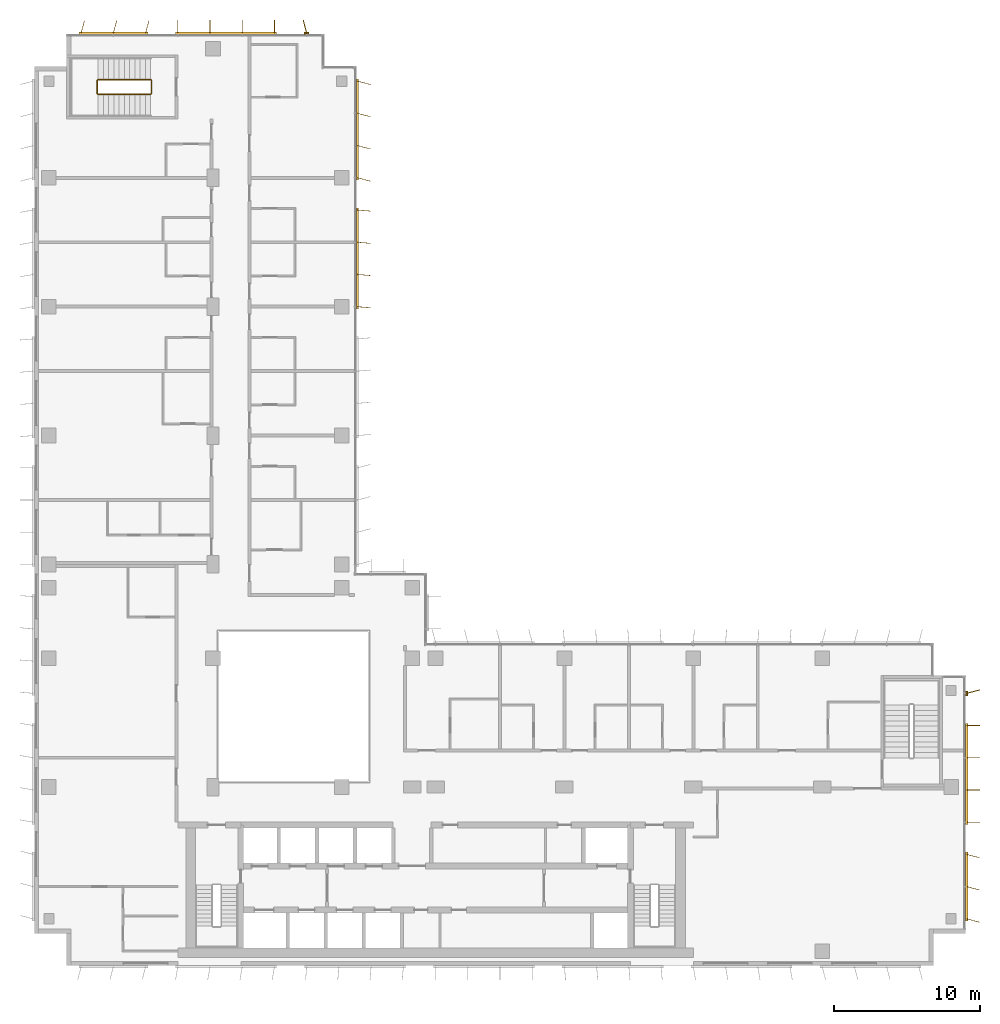
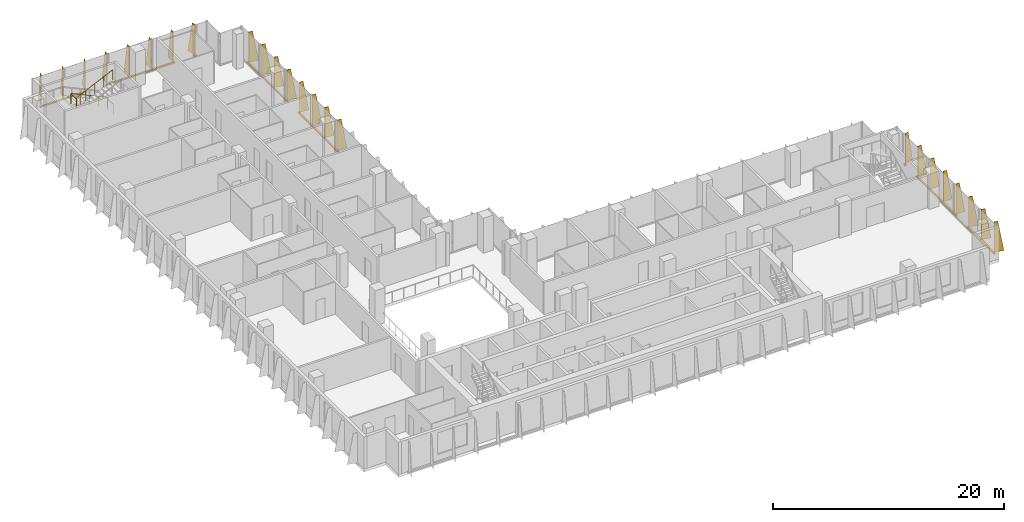
# One storey, part 21 of 21: 8 shading devices, 1 railing.
"""IFC4 building model written with IfcOpenShell, lengths in metres."""

from ifc_helpers import new_model, si_unit, direction, frame, origin, origin_2d, place, context, subcontext, project, spatial, polyline, rectangle, circle, outline, extrude, source, transform, mapped, material, layer, layer_set, type_object, element, save


model = new_model("IFC4")

# Units and contexts
model_context = context("Model", 3, precision=1e-05, world=origin(), true_north=direction((0.0, 1.0)))
body_context = subcontext(model_context, "Body", "Model", "MODEL_VIEW")
ifc_project = project(units=[si_unit("LENGTHUNIT", "METRE"), si_unit("AREAUNIT", "SQUARE_METRE"), si_unit("VOLUMEUNIT", "CUBIC_METRE"), si_unit("PLANEANGLEUNIT", "RADIAN"), si_unit("MASSUNIT", "GRAM", prefix="KILO")], contexts=[model_context])

# Site, building, storey
site_placement = place(None, origin())
site = spatial("IfcSite", under=ifc_project, at=site_placement, CompositionType="ELEMENT")
building_placement = place(site_placement, origin())
building = spatial("IfcBuilding", under=site, at=building_placement, Name="Kemantara Hotel Tower", CompositionType="ELEMENT")
storey_placement = place(building_placement, frame((0.0, 0.0, 182.699951171875)))
storey = spatial("IfcBuildingStorey", under=building, at=storey_placement, Name="L45", CompositionType="ELEMENT", Elevation=182.699951171875)

# Railing
ifc_material_1 = material(Name="Stainless steel balustrade", Category="steel")
railing_type = type_object("IfcRailingType", Name="Stair guard 1100 mm", PredefinedType="GUARDRAIL", material=ifc_material_1)
railing_placement = place(storey_placement, frame((7.949951171875, 59.5, 3.699951171875)))
element("IfcRailing", 1, at=railing_placement, inside=storey, type_object=railing_type, Name="L45 ST4 stair guard 1", PredefinedType="GUARDRAIL", context=body_context, shape_type="SweptSolid", body=[
    extrude(circle(Radius=0.02392578125, at=origin_2d()), frame((0.0, 0.0, 1.076171875), z_axis=(-0.906018243939, 0.0, -0.423238634402), x_axis=(0.0, -1.0, 0.0)), (0.0, 0.0, 1.0), 3.973388671875),
    extrude(circle(Radius=0.02392578125, at=origin_2d()), frame((-3.599853515625, 0.0, -0.60546875), z_axis=(-0.274243871929, 0.274243871929, -0.92172696468), x_axis=(-0.707106781187, -0.707106781187, 0.0)), (0.0, 0.0, 1.0), 0.1826171875),
    extrude(circle(Radius=0.02392578125, at=origin_2d()), frame((-3.64990234375, 0.050048828125, -0.77392578125), z_axis=(0.0, 1.0, 0.0), x_axis=(-1.0, 0.0, 0.0)), (0.0, 0.0, 1.0), 0.89990234375),
    extrude(circle(Radius=0.02392578125, at=origin_2d()), frame((-3.64990234375, 0.949951171875, -0.77392578125), z_axis=(0.707106781187, 0.707106781187, 0.0), x_axis=(-0.707106781187, 0.707106781187, 0.0)), (0.0, 0.0, 1.0), 0.07080078125),
    extrude(circle(Radius=0.02392578125, at=origin_2d()), frame((-3.599853515625, 1.0, -0.77392578125), z_axis=(0.905994681025, 0.0, -0.423289071386), x_axis=(0.0, 1.0, 0.0)), (0.0, 0.0, 1.0), 3.973388671875),
    extrude(circle(Radius=0.02392578125, at=origin_2d()), frame((0.0, 1.0, -2.45556640625), z_axis=(0.274243871929, -0.274243871929, -0.92172696468), x_axis=(0.707106781187, 0.707106781187, 0.0)), (0.0, 0.0, 1.0), 0.1826171875),
    extrude(circle(Radius=0.02392578125, at=origin_2d()), frame((0.050048828125, 0.949951171875, -2.6240234375), z_axis=(0.0, -1.0, 0.0), x_axis=(1.0, 0.0, 0.0)), (0.0, 0.0, 1.0), 0.89990234375),
    extrude(circle(Radius=0.02099609375, at=origin_2d()), origin(), (0.0, 0.0, 1.0), 1.052001953125),
    extrude(circle(Radius=0.02099609375, at=origin_2d()), frame((-0.89990234375, 0.0, -0.42041015625)), (0.0, 0.0, 1.0), 1.052001953125),
    extrude(circle(Radius=0.02099609375, at=origin_2d()), frame((-1.7998046875, 0.0, -0.8408203125)), (0.0, 0.0, 1.0), 1.052001953125),
    extrude(circle(Radius=0.02099609375, at=origin_2d()), frame((-2.699951171875, 0.0, -1.26123046875)), (0.0, 0.0, 1.0), 1.052001953125),
    extrude(circle(Radius=0.02099609375, at=origin_2d()), frame((-3.599853515625, 0.0, -1.681640625)), (0.0, 0.0, 1.0), 1.052001953125),
    extrude(circle(Radius=0.02099609375, at=origin_2d()), frame((-3.64990234375, 0.050048828125, -1.849853515625)), (0.0, 0.0, 1.0), 1.052001953125),
    extrude(circle(Radius=0.02099609375, at=origin_2d()), frame((-3.64990234375, 0.949951171875, -1.849853515625)), (0.0, 0.0, 1.0), 1.052001953125),
    extrude(circle(Radius=0.02099609375, at=origin_2d()), frame((-3.599853515625, 1.0, -1.849853515625)), (0.0, 0.0, 1.0), 1.052001953125),
    extrude(circle(Radius=0.02099609375, at=origin_2d()), frame((-2.699951171875, 1.0, -2.270263671875)), (0.0, 0.0, 1.0), 1.052001953125),
    extrude(circle(Radius=0.02099609375, at=origin_2d()), frame((-1.7998046875, 1.0, -2.69091796875)), (0.0, 0.0, 1.0), 1.052001953125),
    extrude(circle(Radius=0.02099609375, at=origin_2d()), frame((-0.89990234375, 1.0, -3.111328125)), (0.0, 0.0, 1.0), 1.052001953125),
    extrude(circle(Radius=0.02099609375, at=origin_2d()), frame((0.0, 1.0, -3.53173828125)), (0.0, 0.0, 1.0), 1.052001953125),
    extrude(circle(Radius=0.02099609375, at=origin_2d()), frame((0.050048828125, 0.949951171875, -3.699951171875)), (0.0, 0.0, 1.0), 1.052001953125),
    extrude(circle(Radius=0.02099609375, at=origin_2d()), frame((0.050048828125, 0.050048828125, -3.699951171875)), (0.0, 0.0, 1.0), 1.052001953125),
])

# Shading devices
ifc_material_2 = material(Name="Perforated aluminium plate 4 mm bronze anodised", Category="aluminium")
ifc_layer_1 = layer(ifc_material_2, 0.0400390625)
ifc_layer_set_1 = layer_set([ifc_layer_1], Name="Perforated aluminium plate 4 mm bronze anodised")
shading_device_type_1 = type_object("IfcShadingDeviceType", Name="SCREEN FIN CASSETTE, 3 BLADES AT -15.0 DEG, 3200 HIGH", PredefinedType="USERDEFINED", material=ifc_layer_set_1)
shared_shape_1 = source(origin(), body_context, "Body", "SweptSolid", [
    extrude(rectangle(XDim=4.699951171875, YDim=0.14990234375, at=origin_2d()), frame((2.199951171875, -0.074951171875, -0.14990234375), z_axis=(0.0, 0.0, 1.0), x_axis=(1.0, 0.0, 0.0)), (0.0, 0.0, 1.0), 0.14990234375),
    extrude(outline(polyline([(0.0, 0.0), (0.89990234375, 0.0), (0.35009765625, 3.199951171875), (0.0, 3.199951171875), (0.0, 0.0)])), frame((0.019287109375, -0.080078125, 0.0), z_axis=(-0.966437683387, 0.256901156343, 0.0), x_axis=(-0.256901156343, -0.966437683387, 0.0)), (0.0, 0.0, 1.0), 0.039794921875),
    extrude(outline(polyline([(0.0, 0.0), (0.89990234375, 0.0), (0.35009765625, 3.199951171875), (0.0, 3.199951171875), (0.0, 0.0)])), frame((2.21923828125, -0.080078125, 0.0), z_axis=(-0.966437683387, 0.256901156343, 0.0), x_axis=(-0.256901156343, -0.966437683387, 0.0)), (0.0, 0.0, 1.0), 0.039794921875),
    extrude(outline(polyline([(0.0, 0.0), (0.89990234375, 0.0), (0.35009765625, 3.199951171875), (0.0, 3.199951171875), (0.0, 0.0)])), frame((4.41943359375, -0.080078125, 0.0), z_axis=(-0.966837822169, 0.255391122837, 0.0), x_axis=(-0.255391122837, -0.966837822169, 0.0)), (0.0, 0.0, 1.0), 0.0400390625),
])
for number, where, z_axis, x_axis, name in (
    (2, (7.60009765625, 63.60009765625, 0.10009765625), (0.0, 0.0, 1.0), (-1.0, 0.0, 0.0), "SCREEN FIN CASSETTE L45 T3-R02-3"),
    (3, (63.60009765625, 3.199951171875, 0.10009765625), (0.0, 0.0, 1.0), (0.0, 1.0, 0.0), "SCREEN FIN CASSETTE L45 T3-R11-1"),
):
    element("IfcShadingDevice", number, at=place(storey_placement, frame(where, z_axis=z_axis, x_axis=x_axis)), inside=storey, type_object=shading_device_type_1, Name=name, ObjectType="SCREEN FIN", PredefinedType="USERDEFINED", context=body_context, shape_type="MappedRepresentation", body=[
        mapped(shared_shape_1, transform((0.0, 0.0, 0.0))),
    ])
ifc_layer_2 = layer(ifc_material_2, 0.0400390625)
ifc_layer_set_2 = layer_set([ifc_layer_2], Name="Perforated aluminium plate 4 mm bronze anodised")
shading_device_type_2 = type_object("IfcShadingDeviceType", Name="SCREEN FIN CASSETTE, 4 BLADES AT -5.0 DEG, 3200 HIGH", PredefinedType="USERDEFINED", material=ifc_layer_set_2)
shared_shape_2 = source(origin(), body_context, "Body", "SweptSolid", [
    extrude(rectangle(XDim=6.89990234375, YDim=0.14990234375, at=origin_2d()), frame((3.300048828125, -0.074951171875, -0.14990234375), z_axis=(0.0, 0.0, 1.0), x_axis=(1.0, 0.0, 0.0)), (0.0, 0.0, 1.0), 0.14990234375),
    extrude(outline(polyline([(0.0, 0.0), (0.89990234375, 0.0), (0.35009765625, 3.199951171875), (0.0, 3.199951171875), (0.0, 0.0)])), frame((0.02001953125, -0.07666015625, 0.0), z_axis=(-0.996376129781, 0.085056498884, 0.0), x_axis=(-0.085056498884, -0.996376129781, 0.0)), (0.0, 0.0, 1.0), 0.040283203125),
    extrude(outline(polyline([(0.0, 0.0), (0.89990234375, 0.0), (0.35009765625, 3.199951171875), (0.0, 3.199951171875), (0.0, 0.0)])), frame((2.219970703125, -0.07666015625, 0.0), z_axis=(-0.996331773833, 0.085574508182, 0.0), x_axis=(-0.085574508182, -0.996331773833, 0.0)), (0.0, 0.0, 1.0), 0.0400390625),
    extrude(outline(polyline([(0.0, 0.0), (0.89990234375, 0.0), (0.35009765625, 3.199951171875), (0.0, 3.199951171875), (0.0, 0.0)])), frame((4.419921875, -0.07666015625, 0.0), z_axis=(-0.996331773833, 0.085574508182, 0.0), x_axis=(-0.085574508182, -0.996331773833, 0.0)), (0.0, 0.0, 1.0), 0.0400390625),
    extrude(outline(polyline([(0.0, 0.0), (0.89990234375, 0.0), (0.35009765625, 3.199951171875), (0.0, 3.199951171875), (0.0, 0.0)])), frame((6.619873046875, -0.07666015625, 0.0), z_axis=(-0.996331773833, 0.085574508182, 0.0), x_axis=(-0.085574508182, -0.996331773833, 0.0)), (0.0, 0.0, 1.0), 0.0400390625),
])
shading_device_1_placement = place(storey_placement, frame((22.0, 45.0, 0.10009765625), z_axis=(0.0, 0.0, 1.0), x_axis=(0.0, 1.0, 0.0)))
element("IfcShadingDevice", 4, at=shading_device_1_placement, inside=storey, type_object=shading_device_type_2, Name="SCREEN FIN CASSETTE L45 T3-R17-3", ObjectType="SCREEN FIN", PredefinedType="USERDEFINED", context=body_context, shape_type="MappedRepresentation", body=[
    mapped(shared_shape_2, transform((0.0, 0.0, 0.0))),
])
ifc_layer_3 = layer(ifc_material_2, 0.0400390625)
ifc_layer_set_3 = layer_set([ifc_layer_3], Name="Perforated aluminium plate 4 mm bronze anodised")
shading_device_type_3 = type_object("IfcShadingDeviceType", Name="SCREEN FIN CASSETTE, 4 BLADES AT +0.0 DEG, 3200 HIGH", PredefinedType="USERDEFINED", material=ifc_layer_set_3)
shared_shape_3 = source(origin(), body_context, "Body", "SweptSolid", [
    extrude(rectangle(XDim=6.89990234375, YDim=0.14990234375, at=origin_2d()), frame((3.300048828125, -0.074951171875, -0.14990234375), z_axis=(0.0, 0.0, 1.0), x_axis=(1.0, 0.0, 0.0)), (0.0, 0.0, 1.0), 0.14990234375),
    extrude(outline(polyline([(0.0, 0.0), (0.89990234375, 0.0), (0.35009765625, 3.199951171875), (0.0, 3.199951171875), (0.0, 0.0)])), frame((0.02001953125, -0.074951171875, 0.0), z_axis=(-1.0, 0.0, 0.0), x_axis=(0.0, -1.0, 0.0)), (0.0, 0.0, 1.0), 0.0400390625),
    extrude(outline(polyline([(0.0, 0.0), (0.89990234375, 0.0), (0.35009765625, 3.199951171875), (0.0, 3.199951171875), (0.0, 0.0)])), frame((2.219970703125, -0.074951171875, 0.0), z_axis=(-1.0, 0.0, 0.0), x_axis=(0.0, -1.0, 0.0)), (0.0, 0.0, 1.0), 0.0400390625),
    extrude(outline(polyline([(0.0, 0.0), (0.89990234375, 0.0), (0.35009765625, 3.199951171875), (0.0, 3.199951171875), (0.0, 0.0)])), frame((4.419921875, -0.074951171875, 0.0), z_axis=(-1.0, 0.0, 0.0), x_axis=(0.0, -1.0, 0.0)), (0.0, 0.0, 1.0), 0.0400390625),
    extrude(outline(polyline([(0.0, 0.0), (0.89990234375, 0.0), (0.35009765625, 3.199951171875), (0.0, 3.199951171875), (0.0, 0.0)])), frame((6.6201171875, -0.074951171875, 0.0), z_axis=(-1.0, 0.0, 0.0), x_axis=(0.0, -1.0, 0.0)), (0.0, 0.0, 1.0), 0.0400390625),
])
for number, where, z_axis, x_axis, name in (
    (5, (16.39990234375, 63.60009765625, 0.10009765625), (0.0, 0.0, 1.0), (-1.0, 0.0, 0.0), "SCREEN FIN CASSETTE L45 T3-R02-2"),
    (6, (63.60009765625, 9.800048828125, 0.10009765625), (0.0, 0.0, 1.0), (0.0, 1.0, 0.0), "SCREEN FIN CASSETTE L45 T3-R11-2"),
):
    element("IfcShadingDevice", number, at=place(storey_placement, frame(where, z_axis=z_axis, x_axis=x_axis)), inside=storey, type_object=shading_device_type_3, Name=name, ObjectType="SCREEN FIN", PredefinedType="USERDEFINED", context=body_context, shape_type="MappedRepresentation", body=[
        mapped(shared_shape_3, transform((0.0, 0.0, 0.0))),
    ])
ifc_layer_4 = layer(ifc_material_2, 0.0400390625)
ifc_layer_set_4 = layer_set([ifc_layer_4], Name="Perforated aluminium plate 4 mm bronze anodised")
shading_device_type_4 = type_object("IfcShadingDeviceType", Name="SCREEN FIN CASSETTE, 4 BLADES AT -15.0 DEG, 3200 HIGH", PredefinedType="USERDEFINED", material=ifc_layer_set_4)
shared_shape_4 = source(origin(), body_context, "Body", "SweptSolid", [
    extrude(rectangle(XDim=6.89990234375, YDim=0.14990234375, at=origin_2d()), frame((3.300048828125, -0.074951171875, -0.14990234375), z_axis=(0.0, 0.0, 1.0), x_axis=(1.0, 0.0, 0.0)), (0.0, 0.0, 1.0), 0.14990234375),
    extrude(outline(polyline([(0.0, 0.0), (0.89990234375, 0.0), (0.35009765625, 3.199951171875), (0.0, 3.199951171875), (0.0, 0.0)])), frame((0.019287109375, -0.080078125, 0.0), z_axis=(-0.966437683387, 0.256901156343, 0.0), x_axis=(-0.256901156343, -0.966437683387, 0.0)), (0.0, 0.0, 1.0), 0.039794921875),
    extrude(outline(polyline([(0.0, 0.0), (0.89990234375, 0.0), (0.35009765625, 3.199951171875), (0.0, 3.199951171875), (0.0, 0.0)])), frame((2.21923828125, -0.080078125, 0.0), z_axis=(-0.966437683387, 0.256901156343, 0.0), x_axis=(-0.256901156343, -0.966437683387, 0.0)), (0.0, 0.0, 1.0), 0.039794921875),
    extrude(outline(polyline([(0.0, 0.0), (0.89990234375, 0.0), (0.35009765625, 3.199951171875), (0.0, 3.199951171875), (0.0, 0.0)])), frame((4.41943359375, -0.080078125, 0.0), z_axis=(-0.966837822169, 0.255391122837, 0.0), x_axis=(-0.255391122837, -0.966837822169, 0.0)), (0.0, 0.0, 1.0), 0.0400390625),
    extrude(outline(polyline([(0.0, 0.0), (0.89990234375, 0.0), (0.35009765625, 3.199951171875), (0.0, 3.199951171875), (0.0, 0.0)])), frame((6.619384765625, -0.080078125, 0.0), z_axis=(-0.966837822169, 0.255391122837, 0.0), x_axis=(-0.255391122837, -0.966837822169, 0.0)), (0.0, 0.0, 1.0), 0.0400390625),
])
shading_device_2_placement = place(storey_placement, frame((22.0, 53.800048828125, 0.10009765625), z_axis=(0.0, 0.0, 1.0), x_axis=(0.0, 1.0, 0.0)))
element("IfcShadingDevice", 7, at=shading_device_2_placement, inside=storey, type_object=shading_device_type_4, Name="SCREEN FIN CASSETTE L45 T3-R17-4", ObjectType="SCREEN FIN", PredefinedType="USERDEFINED", context=body_context, shape_type="MappedRepresentation", body=[
    mapped(shared_shape_4, transform((0.0, 0.0, 0.0))),
])
ifc_layer_5 = layer(ifc_material_2, 0.0400390625)
ifc_layer_set_5 = layer_set([ifc_layer_5], Name="Perforated aluminium plate 4 mm bronze anodised")
shading_device_type_5 = type_object("IfcShadingDeviceType", Name="SCREEN FIN CASSETTE, 1 BLADE AT +15.0 DEG, 3200 HIGH", PredefinedType="USERDEFINED", material=ifc_layer_set_5)
shared_shape_5 = source(origin(), body_context, "Body", "SweptSolid", [
    extrude(rectangle(XDim=0.300048828125, YDim=0.14990234375, at=origin_2d()), frame((0.0, -0.074951171875, -0.14990234375), z_axis=(0.0, 0.0, 1.0), x_axis=(1.0, 0.0, 0.0)), (0.0, 0.0, 1.0), 0.14990234375),
    extrude(outline(polyline([(0.0, 0.0), (0.89990234375, 0.0), (0.35009765625, 3.199951171875), (0.0, 3.199951171875), (0.0, 0.0)])), frame((0.019287109375, -0.06982421875, 0.0), z_axis=(-0.966437683387, -0.256901156343, 0.0), x_axis=(0.256901156343, -0.966437683387, 0.0)), (0.0, 0.0, 1.0), 0.039794921875),
])
for number, where, z_axis, x_axis, name in (
    (8, (18.60009765625, 63.60009765625, 0.10009765625), (0.0, 0.0, 1.0), (-1.0, 0.0, 0.0), "SCREEN FIN CASSETTE L45 T3-R02-1"),
    (9, (63.60009765625, 18.60009765625, 0.10009765625), (0.0, 0.0, 1.0), (0.0, 1.0, 0.0), "SCREEN FIN CASSETTE L45 T3-R11-3"),
):
    element("IfcShadingDevice", number, at=place(storey_placement, frame(where, z_axis=z_axis, x_axis=x_axis)), inside=storey, type_object=shading_device_type_5, Name=name, ObjectType="SCREEN FIN", PredefinedType="USERDEFINED", context=body_context, shape_type="MappedRepresentation", body=[
        mapped(shared_shape_5, transform((0.0, 0.0, 0.0))),
    ])

save(model, "model.ifc")
